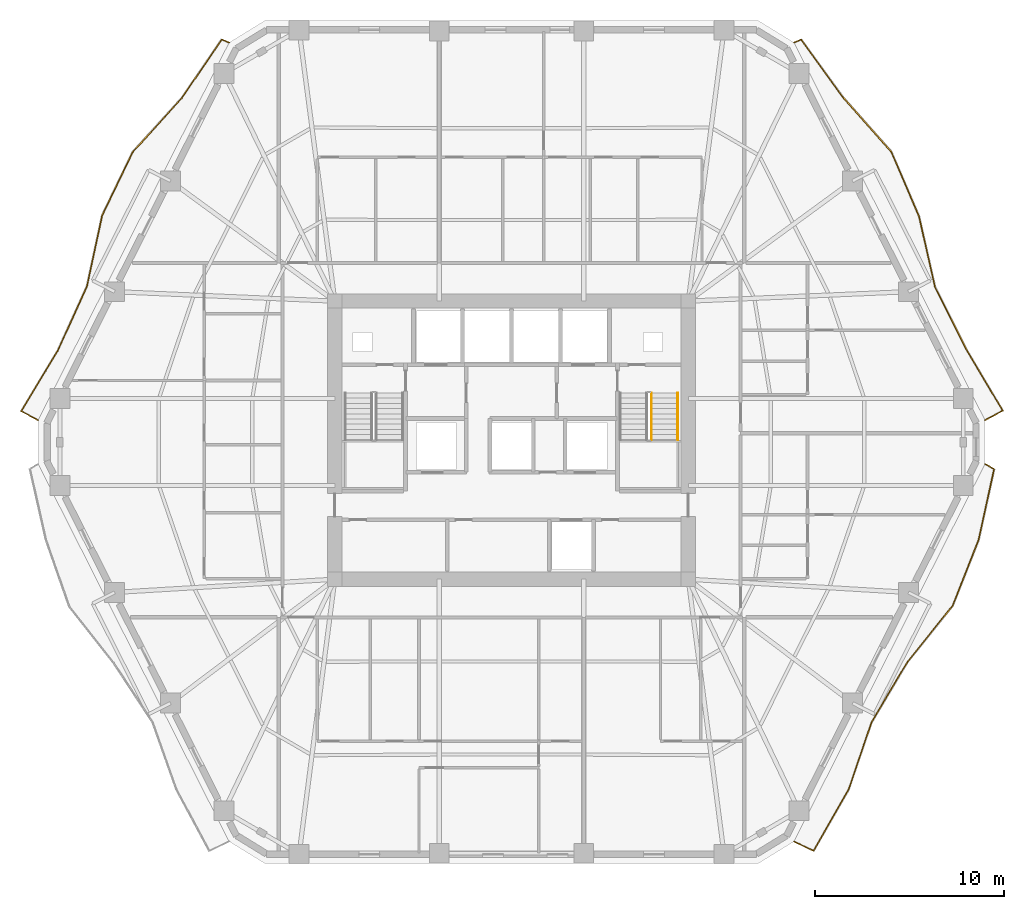
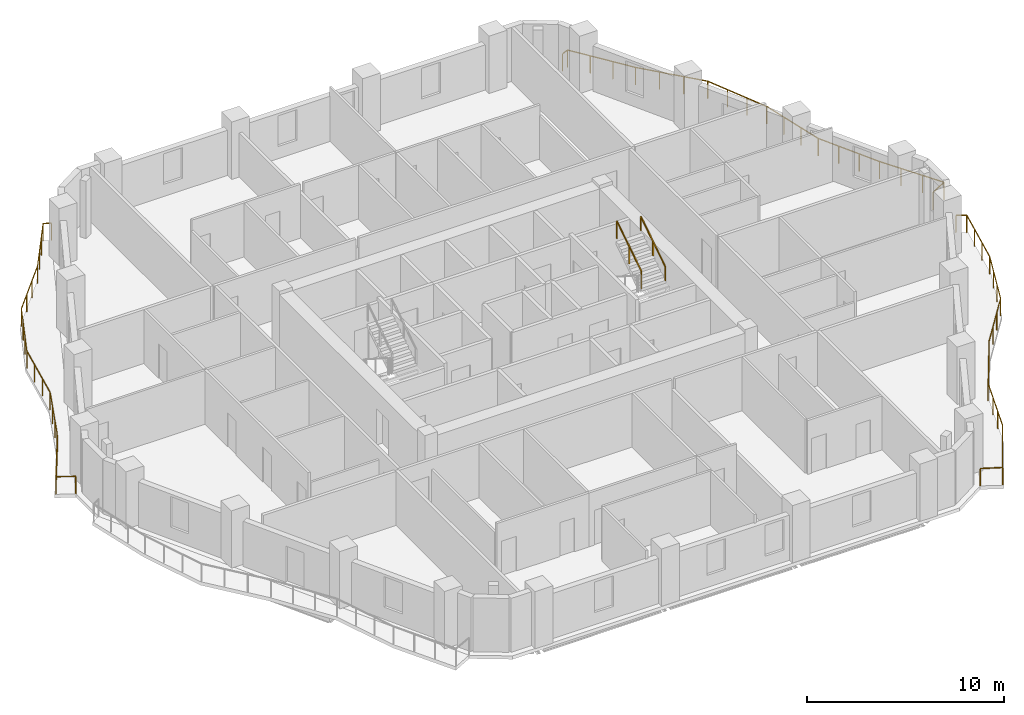
# One storey, part 11 of 11: 5 railings.
"""IFC4 building model written with IfcOpenShell, lengths in metres."""

import ifcopenshell
import ifcopenshell.guid

model = None  # the IFC model being written
_history = None  # IfcOwnerHistory: only IFC2X3 demands one
_inside = {}  # id of a spatial element -> (the spatial element, [elements in it])
_under = {}  # id of a project, library or spatial element -> (it, [spatial elements below it])
_declared = {}  # id of a project -> (the project, [libraries it declares])
_typed = {}  # id of a type object -> (the type object, [elements of that type])
_made_of = {}  # id of a material, layer set ... -> (it, [elements and type objects made of it])


def new_model(schema):
    """Start an empty IFC model of exactly this schema.

    Asked for "IFC4X3", IfcOpenShell would pick the latest addendum, in which some entities
    have other attributes; the version numbers below select the first issue.
    IFC2X3 requires an IfcOwnerHistory on every rooted entity: one is made here for all.
    """
    global model, _history
    if schema == "IFC4X3":
        model = ifcopenshell.file(schema_version=(4, 3, 0, 0))
    else:
        model = ifcopenshell.file(schema=schema)
    _inside.clear()
    _under.clear()
    _declared.clear()
    _typed.clear()
    _made_of.clear()
    _history = None
    if model.schema == "IFC2X3":
        org = make("IfcOrganization", Name="unknown")
        user = make(
            "IfcPersonAndOrganization",
            ThePerson=make("IfcPerson", FamilyName="unknown"),
            TheOrganization=org,
        )
        app = make(
            "IfcApplication",
            ApplicationDeveloper=org,
            Version="unknown",
            ApplicationFullName="unknown",
            ApplicationIdentifier="unknown",
        )
        _history = make(
            "IfcOwnerHistory",
            OwningUser=user,
            OwningApplication=app,
            ChangeAction="ADDED",
            CreationDate=0,
        )
    return model


def make(cls, **values):
    """One entity of the class cls with the attributes given. An attribute that is None is left unset."""
    return model.create_entity(
        cls, **{name: value for name, value in values.items() if value is not None}
    )


def rooted(cls, **values):
    """An entity with a GlobalId (a new one), such as an element, a storey or a relation."""
    return make(cls, GlobalId=ifcopenshell.guid.new(), OwnerHistory=_history, **values)


def si_unit(unit_type, name, prefix=None):
    """IfcSIUnit, for example si_unit("LENGTHUNIT", "METRE", prefix="MILLI")."""
    return make("IfcSIUnit", UnitType=unit_type, Prefix=prefix, Name=name)


def assignment(units):
    """IfcUnitAssignment: the units of a project."""
    return None if units is None else make("IfcUnitAssignment", Units=units)


def point(xyz):
    """IfcCartesianPoint."""
    return None if xyz is None else make("IfcCartesianPoint", Coordinates=xyz)


def direction(xyz):
    """IfcDirection."""
    return None if xyz is None else make("IfcDirection", DirectionRatios=xyz)


def frame(location, z_axis=None, x_axis=None):
    """IfcAxis2Placement3D, a coordinate frame: its origin and axes. An axis left out is left unset."""
    return make(
        "IfcAxis2Placement3D",
        Location=point(location),
        Axis=direction(z_axis),
        RefDirection=direction(x_axis),
    )


def frame_2d(location, x_axis=None):
    """IfcAxis2Placement2D, a coordinate frame in the plane: its origin and x axis."""
    return make(
        "IfcAxis2Placement2D", Location=point(location), RefDirection=direction(x_axis)
    )


def origin():
    """The frame at (0, 0, 0) with its axes left unset."""
    return frame((0.0, 0.0, 0.0))


def origin_2d():
    """The frame at (0, 0) in the plane with its x axis left unset."""
    return frame_2d((0.0, 0.0))


def place(relative_to, where):
    """IfcLocalPlacement: puts the frame where relative to a parent placement (None: the world)."""
    return make(
        "IfcLocalPlacement", PlacementRelTo=relative_to, RelativePlacement=where
    )


def context(
    kind, dimensions, precision=None, world=None, true_north=None, identifier=None
):
    """IfcGeometricRepresentationContext, for example the 3D "Model" context."""
    return make(
        "IfcGeometricRepresentationContext",
        ContextIdentifier=identifier,
        ContextType=kind,
        CoordinateSpaceDimension=dimensions,
        Precision=precision,
        WorldCoordinateSystem=world,
        TrueNorth=true_north,
    )


def subcontext(parent, identifier, kind, view, scale=None):
    """IfcGeometricRepresentationSubContext, for example "Body" below "Model"."""
    return make(
        "IfcGeometricRepresentationSubContext",
        ContextIdentifier=identifier,
        ContextType=kind,
        ParentContext=parent,
        TargetScale=scale,
        TargetView=view,
    )


def project(units=None, contexts=None):
    """IfcProject with its units and contexts."""
    return rooted(
        "IfcProject",
        Name="project",
        RepresentationContexts=contexts,
        UnitsInContext=assignment(units),
    )


def spatial(cls, under=None, at=None, **own):
    """A site, building, storey or space (cls), placed at a placement, below another one or the project."""
    s = rooted(cls, ObjectPlacement=at, **own)
    if under is not None:
        _under.setdefault(under.id(), (under, []))[1].append(s)
    return s


def profile(cls, at=None, kind="AREA", **sizes):
    """A parametric profile (cls). Its sizes go by their IFC names, for example OverallWidth=200.0."""
    return make(cls, ProfileType=kind, Position=at, **sizes)


def rectangle(**sizes):
    """IfcRectangleProfileDef."""
    return profile("IfcRectangleProfileDef", **sizes)


def extrude(swept, where, along, depth):
    """IfcExtrudedAreaSolid: the profile swept, set in the frame where, extruded along a direction by depth."""
    return make(
        "IfcExtrudedAreaSolid",
        SweptArea=swept,
        Position=where,
        ExtrudedDirection=direction(along),
        Depth=depth,
    )


def shape(context_of_items, identifier, shape_type, items):
    """IfcShapeRepresentation: the items that make up one representation, for example the "Body"."""
    return make(
        "IfcShapeRepresentation",
        ContextOfItems=context_of_items,
        RepresentationIdentifier=identifier,
        RepresentationType=shape_type,
        Items=items,
    )


def material(Name=None, Category=None):
    """IfcMaterial."""
    return make("IfcMaterial", Name=Name, Category=Category)


def made_of(thing, what):
    """Note that an element or type object is made of a material, layer set ...; save() writes the relation."""
    if what is not None:
        _made_of.setdefault(what.id(), (what, []))[1].append(thing)
    return thing


def type_object(cls, material=None, **own):
    """A type object (cls), such as IfcWallType, which elements share."""
    return made_of(rooted(cls, **own), material)


def element(
    cls,
    number,
    at=None,
    inside=None,
    cuts=None,
    type_object=None,
    material=None,
    context=None,
    identifier="Body",
    shape_type=None,
    held_by="IfcProductDefinitionShape",
    body=None,
    shapes=None,
    **own,
):
    """One element of the class cls, such as IfcWall. Its Tag is "e" and its number.

    at: its placement. inside: the storey or other place that contains it. cuts: it is an
    opening in that element (IfcRelVoidsElement). A single representation is given by context,
    identifier, shape_type and body (its items); several are given by shapes. held_by: the class
    of the entity that holds the representations. save() writes the other relations.
    """
    e = rooted(cls, Tag="e%d" % number, ObjectPlacement=at, **own)
    if body is not None:
        shapes = [shape(context, identifier, shape_type, body)]
    if shapes is not None:
        e.Representation = make(held_by, Representations=shapes)
    if inside is not None:
        _inside.setdefault(inside.id(), (inside, []))[1].append(e)
    if cuts is not None:
        rooted(
            "IfcRelVoidsElement", RelatingBuildingElement=cuts, RelatedOpeningElement=e
        )
    if type_object is not None:
        _typed.setdefault(type_object.id(), (type_object, []))[1].append(e)
    return made_of(e, material)


def aggregate(whole, parts):
    """IfcRelAggregates: a whole, such as a stair, and the parts it consists of."""
    return rooted("IfcRelAggregates", RelatingObject=whole, RelatedObjects=parts)


def save(model, path):
    """Write the relations noted so far, then the file.

    IfcRelAggregates (storeys below a building ...), IfcRelContainedInSpatialStructure (elements
    in a storey), IfcRelDefinesByType, IfcRelAssociatesMaterial and IfcRelDeclares: one each for
    every whole, place, type object, material and project.
    """
    for whole, parts in _under.values():
        aggregate(whole, parts)
    for where, things in _inside.values():
        rooted(
            "IfcRelContainedInSpatialStructure",
            RelatedElements=things,
            RelatingStructure=where,
        )
    for kind, things in _typed.values():
        rooted("IfcRelDefinesByType", RelatedObjects=things, RelatingType=kind)
    for what, things in _made_of.values():
        rooted("IfcRelAssociatesMaterial", RelatedObjects=things, RelatingMaterial=what)
    for by, libraries in _declared.values():
        rooted("IfcRelDeclares", RelatingContext=by, RelatedDefinitions=libraries)
    model.write(path)


model = new_model("IFC4")

# Units and contexts
model_context = context("Model", 3, precision=1e-05, world=origin(), true_north=direction((0.0, 1.0)))
body_context = subcontext(model_context, "Body", "Model", "MODEL_VIEW")
ifc_project = project(units=[si_unit("LENGTHUNIT", "METRE"), si_unit("AREAUNIT", "SQUARE_METRE"), si_unit("VOLUMEUNIT", "CUBIC_METRE"), si_unit("PLANEANGLEUNIT", "RADIAN"), si_unit("MASSUNIT", "GRAM", prefix="KILO")], contexts=[model_context])

# Site, building, storey
site_placement = place(None, origin())
site = spatial("IfcSite", under=ifc_project, at=site_placement, CompositionType="ELEMENT")
building_placement = place(site_placement, origin())
building = spatial("IfcBuilding", under=site, at=building_placement, Name="Cinnabar Lancet Tower", CompositionType="ELEMENT")
storey_placement = place(building_placement, frame((0.0, 0.0, 101.949951171875)))
storey = spatial("IfcBuildingStorey", under=building, at=storey_placement, Name="L26", CompositionType="ELEMENT", Elevation=101.949951171875)

# Railings
ifc_material_1 = material(Name="Laminated safety glass and bronze stainless steel balustrade", Category="steel")
railing_type_1 = type_object("IfcRailingType", Name="ENV-RLG-BAL-1100", PredefinedType="BALUSTRADE", material=ifc_material_1)
railing_1_placement = place(storey_placement, frame((47.37890625, 4.610107421875, 0.0)))
element("IfcRailing", 1, at=railing_1_placement, inside=storey, type_object=railing_type_1, Name="L26 Face 2 Wave Balcony Balustrade", PredefinedType="BALUSTRADE", context=body_context, shape_type="SweptSolid", body=[
    extrude(rectangle(XDim=0.048095703125, YDim=0.048095703125, at=origin_2d()), frame((0.0, 0.0, 1.076171875), z_axis=(0.904184593979, -0.427141920222, 0.0), x_axis=(0.427141920222, 0.904184593979, 0.0)), (0.0, 0.0, 1.0), 1.144775390625),
    extrude(rectangle(XDim=0.048095703125, YDim=0.048095703125, at=origin_2d()), frame((1.03515625, -0.489013671875, 1.076171875), z_axis=(0.497812026319, 0.867284951127, 0.0), x_axis=(-0.867284951127, 0.497812026319, 0.0)), (0.0, 0.0, 1.0), 3.738037109375),
    extrude(rectangle(XDim=0.048095703125, YDim=0.048095703125, at=origin_2d()), frame((2.89599609375, 2.7529296875, 1.076171875), z_axis=(0.322381124636, 0.946609956887, 0.0), x_axis=(-0.946609956887, 0.322381124636, 0.0)), (0.0, 0.0, 1.0), 3.76904296875),
    extrude(rectangle(XDim=0.048095703125, YDim=0.048095703125, at=origin_2d()), frame((4.111083984375, 6.32080078125, 1.076171875), z_axis=(0.511034977246, 0.85955991765, 0.0), x_axis=(-0.85955991765, 0.511034977246, 0.0)), (0.0, 0.0, 1.0), 3.7392578125),
    extrude(rectangle(XDim=0.048095703125, YDim=0.048095703125, at=origin_2d()), frame((6.02197265625, 9.534912109375, 1.076171875), z_axis=(0.627268062328, 0.778803427049, 0.0), x_axis=(-0.778803427049, 0.627268062328, 0.0)), (0.0, 0.0, 1.0), 3.8134765625),
    extrude(rectangle(XDim=0.048095703125, YDim=0.048095703125, at=origin_2d()), frame((8.4140625, 12.5048828125, 1.076171875), z_axis=(0.366915842501, 0.93025413975, 0.0), x_axis=(-0.93025413975, 0.366915842501, 0.0)), (0.0, 0.0, 1.0), 3.74755859375),
    extrude(rectangle(XDim=0.048095703125, YDim=0.048095703125, at=origin_2d()), frame((9.7890625, 15.990966796875, 1.076171875), z_axis=(0.214333582574, 0.976760520998, 0.0), x_axis=(-0.976760520998, 0.214333582574, 0.0)), (0.0, 0.0, 1.0), 3.853515625),
    extrude(rectangle(XDim=0.048095703125, YDim=0.048095703125, at=origin_2d()), frame((10.614990234375, 19.7548828125, 1.076171875), z_axis=(-0.868188896318, 0.496233856474, 0.0), x_axis=(-0.496233856474, -0.868188896318, 0.0)), (0.0, 0.0, 1.0), 0.553955078125),
    extrude(rectangle(XDim=0.0419921875, YDim=0.0419921875, at=origin_2d()), origin(), (0.0, 0.0, 1.0), 1.052001953125),
    extrude(rectangle(XDim=0.0419921875, YDim=0.0419921875, at=origin_2d()), frame((1.03515625, -0.489013671875, 0.0)), (0.0, 0.0, 1.0), 1.052001953125),
    extrude(rectangle(XDim=0.0419921875, YDim=0.0419921875, at=origin_2d()), frame((1.655517578125, 0.591552734375, 0.0)), (0.0, 0.0, 1.0), 1.052001953125),
    extrude(rectangle(XDim=0.0419921875, YDim=0.0419921875, at=origin_2d()), frame((2.275634765625, 1.67236328125, 0.0)), (0.0, 0.0, 1.0), 1.052001953125),
    extrude(rectangle(XDim=0.0419921875, YDim=0.0419921875, at=origin_2d()), frame((2.89599609375, 2.7529296875, 0.0)), (0.0, 0.0, 1.0), 1.052001953125),
    extrude(rectangle(XDim=0.0419921875, YDim=0.0419921875, at=origin_2d()), frame((3.301025390625, 3.942138671875, 0.0)), (0.0, 0.0, 1.0), 1.052001953125),
    extrude(rectangle(XDim=0.0419921875, YDim=0.0419921875, at=origin_2d()), frame((3.7060546875, 5.131591796875, 0.0)), (0.0, 0.0, 1.0), 1.052001953125),
    extrude(rectangle(XDim=0.0419921875, YDim=0.0419921875, at=origin_2d()), frame((4.111083984375, 6.32080078125, 0.0)), (0.0, 0.0, 1.0), 1.052001953125),
    extrude(rectangle(XDim=0.0419921875, YDim=0.0419921875, at=origin_2d()), frame((4.748046875, 7.39208984375, 0.0)), (0.0, 0.0, 1.0), 1.052001953125),
    extrude(rectangle(XDim=0.0419921875, YDim=0.0419921875, at=origin_2d()), frame((5.385009765625, 8.463623046875, 0.0)), (0.0, 0.0, 1.0), 1.052001953125),
    extrude(rectangle(XDim=0.0419921875, YDim=0.0419921875, at=origin_2d()), frame((6.02197265625, 9.534912109375, 0.0)), (0.0, 0.0, 1.0), 1.052001953125),
    extrude(rectangle(XDim=0.0419921875, YDim=0.0419921875, at=origin_2d()), frame((6.8193359375, 10.52490234375, 0.0)), (0.0, 0.0, 1.0), 1.052001953125),
    extrude(rectangle(XDim=0.0419921875, YDim=0.0419921875, at=origin_2d()), frame((7.61669921875, 11.514892578125, 0.0)), (0.0, 0.0, 1.0), 1.052001953125),
    extrude(rectangle(XDim=0.0419921875, YDim=0.0419921875, at=origin_2d()), frame((8.4140625, 12.5048828125, 0.0)), (0.0, 0.0, 1.0), 1.052001953125),
    extrude(rectangle(XDim=0.0419921875, YDim=0.0419921875, at=origin_2d()), frame((8.872314453125, 13.6669921875, 0.0)), (0.0, 0.0, 1.0), 1.052001953125),
    extrude(rectangle(XDim=0.0419921875, YDim=0.0419921875, at=origin_2d()), frame((9.330810546875, 14.828857421875, 0.0)), (0.0, 0.0, 1.0), 1.052001953125),
    extrude(rectangle(XDim=0.0419921875, YDim=0.0419921875, at=origin_2d()), frame((9.7890625, 15.990966796875, 0.0)), (0.0, 0.0, 1.0), 1.052001953125),
    extrude(rectangle(XDim=0.0419921875, YDim=0.0419921875, at=origin_2d()), frame((10.064453125, 17.24560546875, 0.0)), (0.0, 0.0, 1.0), 1.052001953125),
    extrude(rectangle(XDim=0.0419921875, YDim=0.0419921875, at=origin_2d()), frame((10.339599609375, 18.500244140625, 0.0)), (0.0, 0.0, 1.0), 1.052001953125),
    extrude(rectangle(XDim=0.0419921875, YDim=0.0419921875, at=origin_2d()), frame((10.614990234375, 19.7548828125, 0.0)), (0.0, 0.0, 1.0), 1.052001953125),
    extrude(rectangle(XDim=0.0419921875, YDim=0.0419921875, at=origin_2d()), frame((10.134033203125, 20.02978515625, 0.0)), (0.0, 0.0, 1.0), 1.052001953125),
])
railing_2_placement = place(storey_placement, frame((57.512939453125, 26.9599609375, 0.0)))
element("IfcRailing", 2, at=railing_2_placement, inside=storey, type_object=railing_type_1, Name="L26 Face 3 Wave Balcony Balustrade", PredefinedType="BALUSTRADE", context=body_context, shape_type="SweptSolid", body=[
    extrude(rectangle(XDim=0.048095703125, YDim=0.048095703125, at=origin_2d()), frame((0.0, 0.0, 1.076171875), z_axis=(0.880035877202, 0.474907206555, 0.0), x_axis=(-0.474907206555, 0.880035877202, 0.0)), (0.0, 0.0, 1.0), 1.063720703125),
    extrude(rectangle(XDim=0.048095703125, YDim=0.048095703125, at=origin_2d()), frame((0.93603515625, 0.505126953125, 1.076171875), z_axis=(-0.510948948591, 0.859611058522, 0.0), x_axis=(-0.859611058522, -0.510948948591, 0.0)), (0.0, 0.0, 1.0), 3.739990234375),
    extrude(rectangle(XDim=0.048095703125, YDim=0.048095703125, at=origin_2d()), frame((-0.974853515625, 3.719970703125, 1.076171875), z_axis=(-0.44946309365, 0.893298901515, 0.0), x_axis=(-0.893298901515, -0.44946309365, 0.0)), (0.0, 0.0, 1.0), 3.731201171875),
    extrude(rectangle(XDim=0.048095703125, YDim=0.048095703125, at=origin_2d()), frame((-2.65185546875, 7.052978515625, 1.076171875), z_axis=(-0.220490735617, 0.975389068786, 0.0), x_axis=(-0.975389068786, -0.220490735617, 0.0)), (0.0, 0.0, 1.0), 3.8466796875),
    extrude(rectangle(XDim=0.048095703125, YDim=0.048095703125, at=origin_2d()), frame((-3.5, 10.804931640625, 1.076171875), z_axis=(-0.394526127473, 0.918884723315, 0.0), x_axis=(-0.918884723315, -0.394526127473, 0.0)), (0.0, 0.0, 1.0), 3.73828125),
    extrude(rectangle(XDim=0.048095703125, YDim=0.048095703125, at=origin_2d()), frame((-4.974853515625, 14.239990234375, 1.076171875), z_axis=(-0.663743089386, 0.747960634855, 0.0), x_axis=(-0.747960634855, -0.663743089386, 0.0)), (0.0, 0.0, 1.0), 3.8583984375),
    extrude(rectangle(XDim=0.048095703125, YDim=0.048095703125, at=origin_2d()), frame((-7.535888671875, 17.1259765625, 1.076171875), z_axis=(-0.587168690639, 0.809464593873, 0.0), x_axis=(-0.809464593873, -0.587168690639, 0.0)), (0.0, 0.0, 1.0), 3.779052734375),
    extrude(rectangle(XDim=0.048095703125, YDim=0.048095703125, at=origin_2d()), frame((-9.7548828125, 20.18505859375, 1.076171875), z_axis=(-0.925613400409, -0.378470385873, 0.0), x_axis=(0.378470385873, -0.925613400409, 0.0)), (0.0, 0.0, 1.0), 0.40966796875),
    extrude(rectangle(XDim=0.0419921875, YDim=0.0419921875, at=origin_2d()), origin(), (0.0, 0.0, 1.0), 1.052001953125),
    extrude(rectangle(XDim=0.0419921875, YDim=0.0419921875, at=origin_2d()), frame((0.93603515625, 0.505126953125, 0.0)), (0.0, 0.0, 1.0), 1.052001953125),
    extrude(rectangle(XDim=0.0419921875, YDim=0.0419921875, at=origin_2d()), frame((0.299072265625, 1.57666015625, 0.0)), (0.0, 0.0, 1.0), 1.052001953125),
    extrude(rectangle(XDim=0.0419921875, YDim=0.0419921875, at=origin_2d()), frame((-0.337890625, 2.6484375, 0.0)), (0.0, 0.0, 1.0), 1.052001953125),
    extrude(rectangle(XDim=0.0419921875, YDim=0.0419921875, at=origin_2d()), frame((-0.974853515625, 3.719970703125, 0.0)), (0.0, 0.0, 1.0), 1.052001953125),
    extrude(rectangle(XDim=0.0419921875, YDim=0.0419921875, at=origin_2d()), frame((-1.533935546875, 4.8310546875, 0.0)), (0.0, 0.0, 1.0), 1.052001953125),
    extrude(rectangle(XDim=0.0419921875, YDim=0.0419921875, at=origin_2d()), frame((-2.0927734375, 5.94189453125, 0.0)), (0.0, 0.0, 1.0), 1.052001953125),
    extrude(rectangle(XDim=0.0419921875, YDim=0.0419921875, at=origin_2d()), frame((-2.65185546875, 7.052978515625, 0.0)), (0.0, 0.0, 1.0), 1.052001953125),
    extrude(rectangle(XDim=0.0419921875, YDim=0.0419921875, at=origin_2d()), frame((-2.9345703125, 8.3037109375, 0.0)), (0.0, 0.0, 1.0), 1.052001953125),
    extrude(rectangle(XDim=0.0419921875, YDim=0.0419921875, at=origin_2d()), frame((-3.21728515625, 9.55419921875, 0.0)), (0.0, 0.0, 1.0), 1.052001953125),
    extrude(rectangle(XDim=0.0419921875, YDim=0.0419921875, at=origin_2d()), frame((-3.5, 10.804931640625, 0.0)), (0.0, 0.0, 1.0), 1.052001953125),
    extrude(rectangle(XDim=0.0419921875, YDim=0.0419921875, at=origin_2d()), frame((-3.99169921875, 11.949951171875, 0.0)), (0.0, 0.0, 1.0), 1.052001953125),
    extrude(rectangle(XDim=0.0419921875, YDim=0.0419921875, at=origin_2d()), frame((-4.483154296875, 13.094970703125, 0.0)), (0.0, 0.0, 1.0), 1.052001953125),
    extrude(rectangle(XDim=0.0419921875, YDim=0.0419921875, at=origin_2d()), frame((-4.974853515625, 14.239990234375, 0.0)), (0.0, 0.0, 1.0), 1.052001953125),
    extrude(rectangle(XDim=0.0419921875, YDim=0.0419921875, at=origin_2d()), frame((-5.82861328125, 15.201904296875, 0.0)), (0.0, 0.0, 1.0), 1.052001953125),
    extrude(rectangle(XDim=0.0419921875, YDim=0.0419921875, at=origin_2d()), frame((-6.68212890625, 16.1640625, 0.0)), (0.0, 0.0, 1.0), 1.052001953125),
    extrude(rectangle(XDim=0.0419921875, YDim=0.0419921875, at=origin_2d()), frame((-7.535888671875, 17.1259765625, 0.0)), (0.0, 0.0, 1.0), 1.052001953125),
    extrude(rectangle(XDim=0.0419921875, YDim=0.0419921875, at=origin_2d()), frame((-8.275634765625, 18.145751953125, 0.0)), (0.0, 0.0, 1.0), 1.052001953125),
    extrude(rectangle(XDim=0.0419921875, YDim=0.0419921875, at=origin_2d()), frame((-9.01513671875, 19.165283203125, 0.0)), (0.0, 0.0, 1.0), 1.052001953125),
    extrude(rectangle(XDim=0.0419921875, YDim=0.0419921875, at=origin_2d()), frame((-9.7548828125, 20.18505859375, 0.0)), (0.0, 0.0, 1.0), 1.052001953125),
    extrude(rectangle(XDim=0.0419921875, YDim=0.0419921875, at=origin_2d()), frame((-10.134033203125, 20.030029296875, 0.0)), (0.0, 0.0, 1.0), 1.052001953125),
])
railing_3_placement = place(storey_placement, frame((17.4208984375, 46.989990234375, 0.0)))
element("IfcRailing", 3, at=railing_3_placement, inside=storey, type_object=railing_type_1, Name="L26 Face 5 Wave Balcony Balustrade", PredefinedType="BALUSTRADE", context=body_context, shape_type="SweptSolid", body=[
    extrude(rectangle(XDim=0.048095703125, YDim=0.048095703125, at=origin_2d()), frame((0.0, 0.0, 1.076171875), z_axis=(-0.924380364904, 0.381472071036, 0.0), x_axis=(-0.381472071036, -0.924380364904, 0.0)), (0.0, 0.0, 1.0), 0.425048828125),
    extrude(rectangle(XDim=0.048095703125, YDim=0.048095703125, at=origin_2d()), frame((-0.392822265625, 0.162109375, 1.076171875), z_axis=(-0.563262354458, -0.826278113017, 0.0), x_axis=(0.826278113017, -0.563262354458, 0.0)), (0.0, 0.0, 1.0), 3.763916015625),
    extrude(rectangle(XDim=0.048095703125, YDim=0.048095703125, at=origin_2d()), frame((-2.512939453125, -2.947998046875, 1.076171875), z_axis=(-0.672182755317, -0.740385266908, 0.0), x_axis=(0.740385266908, -0.672182755317, 0.0)), (0.0, 0.0, 1.0), 3.86962890625),
    extrude(rectangle(XDim=0.048095703125, YDim=0.048095703125, at=origin_2d()), frame((-5.114013671875, -5.81298828125, 1.076171875), z_axis=(-0.434582575863, -0.900631991857, 0.0), x_axis=(0.900631991857, -0.434582575863, 0.0)), (0.0, 0.0, 1.0), 3.73193359375),
    extrude(rectangle(XDim=0.048095703125, YDim=0.048095703125, at=origin_2d()), frame((-6.73583984375, -9.174072265625, 1.076171875), z_axis=(-0.210073860291, -0.97768551857, 0.0), x_axis=(0.97768551857, -0.210073860291, 0.0)), (0.0, 0.0, 1.0), 3.85595703125),
    extrude(rectangle(XDim=0.048095703125, YDim=0.048095703125, at=origin_2d()), frame((-7.5458984375, -12.944091796875, 1.076171875), z_axis=(-0.413694579655, -0.910415726338, 0.0), x_axis=(0.910415726338, -0.413694579655, 0.0)), (0.0, 0.0, 1.0), 3.734375),
    extrude(rectangle(XDim=0.048095703125, YDim=0.048095703125, at=origin_2d()), frame((-9.0908203125, -16.343994140625, 1.076171875), z_axis=(-0.516279042548, -0.856420428426, 0.0), x_axis=(0.856420428426, -0.516279042548, 0.0)), (0.0, 0.0, 1.0), 3.742431640625),
    extrude(rectangle(XDim=0.048095703125, YDim=0.048095703125, at=origin_2d()), frame((-11.02294921875, -19.549072265625, 1.076171875), z_axis=(0.87956995533, -0.47576958045, 0.0), x_axis=(0.47576958045, 0.87956995533, 0.0)), (0.0, 0.0, 1.0), 1.010986328125),
    extrude(rectangle(XDim=0.0419921875, YDim=0.0419921875, at=origin_2d()), origin(), (0.0, 0.0, 1.0), 1.052001953125),
    extrude(rectangle(XDim=0.0419921875, YDim=0.0419921875, at=origin_2d()), frame((-0.392822265625, 0.162109375, 0.0)), (0.0, 0.0, 1.0), 1.052001953125),
    extrude(rectangle(XDim=0.0419921875, YDim=0.0419921875, at=origin_2d()), frame((-1.099609375, -0.87451171875, 0.0)), (0.0, 0.0, 1.0), 1.052001953125),
    extrude(rectangle(XDim=0.0419921875, YDim=0.0419921875, at=origin_2d()), frame((-1.80615234375, -1.911376953125, 0.0)), (0.0, 0.0, 1.0), 1.052001953125),
    extrude(rectangle(XDim=0.0419921875, YDim=0.0419921875, at=origin_2d()), frame((-2.512939453125, -2.947998046875, 0.0)), (0.0, 0.0, 1.0), 1.052001953125),
    extrude(rectangle(XDim=0.0419921875, YDim=0.0419921875, at=origin_2d()), frame((-3.3798828125, -3.903076171875, 0.0)), (0.0, 0.0, 1.0), 1.052001953125),
    extrude(rectangle(XDim=0.0419921875, YDim=0.0419921875, at=origin_2d()), frame((-4.2470703125, -4.85791015625, 0.0)), (0.0, 0.0, 1.0), 1.052001953125),
    extrude(rectangle(XDim=0.0419921875, YDim=0.0419921875, at=origin_2d()), frame((-5.114013671875, -5.81298828125, 0.0)), (0.0, 0.0, 1.0), 1.052001953125),
    extrude(rectangle(XDim=0.0419921875, YDim=0.0419921875, at=origin_2d()), frame((-5.654541015625, -6.933349609375, 0.0)), (0.0, 0.0, 1.0), 1.052001953125),
    extrude(rectangle(XDim=0.0419921875, YDim=0.0419921875, at=origin_2d()), frame((-6.1953125, -8.0537109375, 0.0)), (0.0, 0.0, 1.0), 1.052001953125),
    extrude(rectangle(XDim=0.0419921875, YDim=0.0419921875, at=origin_2d()), frame((-6.73583984375, -9.174072265625, 0.0)), (0.0, 0.0, 1.0), 1.052001953125),
    extrude(rectangle(XDim=0.0419921875, YDim=0.0419921875, at=origin_2d()), frame((-7.005859375, -10.4306640625, 0.0)), (0.0, 0.0, 1.0), 1.052001953125),
    extrude(rectangle(XDim=0.0419921875, YDim=0.0419921875, at=origin_2d()), frame((-7.27587890625, -11.6875, 0.0)), (0.0, 0.0, 1.0), 1.052001953125),
    extrude(rectangle(XDim=0.0419921875, YDim=0.0419921875, at=origin_2d()), frame((-7.5458984375, -12.944091796875, 0.0)), (0.0, 0.0, 1.0), 1.052001953125),
    extrude(rectangle(XDim=0.0419921875, YDim=0.0419921875, at=origin_2d()), frame((-8.060791015625, -14.077392578125, 0.0)), (0.0, 0.0, 1.0), 1.052001953125),
    extrude(rectangle(XDim=0.0419921875, YDim=0.0419921875, at=origin_2d()), frame((-8.575927734375, -15.210693359375, 0.0)), (0.0, 0.0, 1.0), 1.052001953125),
    extrude(rectangle(XDim=0.0419921875, YDim=0.0419921875, at=origin_2d()), frame((-9.0908203125, -16.343994140625, 0.0)), (0.0, 0.0, 1.0), 1.052001953125),
    extrude(rectangle(XDim=0.0419921875, YDim=0.0419921875, at=origin_2d()), frame((-9.73486328125, -17.412353515625, 0.0)), (0.0, 0.0, 1.0), 1.052001953125),
    extrude(rectangle(XDim=0.0419921875, YDim=0.0419921875, at=origin_2d()), frame((-10.37890625, -18.480712890625, 0.0)), (0.0, 0.0, 1.0), 1.052001953125),
    extrude(rectangle(XDim=0.0419921875, YDim=0.0419921875, at=origin_2d()), frame((-11.02294921875, -19.549072265625, 0.0)), (0.0, 0.0, 1.0), 1.052001953125),
    extrude(rectangle(XDim=0.0419921875, YDim=0.0419921875, at=origin_2d()), frame((-10.1337890625, -20.030029296875, 0.0)), (0.0, 0.0, 1.0), 1.052001953125),
])
ifc_material_2 = material(Name="Painted galvanized steel balustrade", Category="steel")
railing_type_2 = type_object("IfcRailingType", Name="GUARD-STAIR", PredefinedType="GUARDRAIL", material=ifc_material_2)
railing_4_placement = place(storey_placement, frame((39.824951171875, 25.925048828125, 1.95263671875)))
element("IfcRailing", 4, at=railing_4_placement, inside=storey, type_object=railing_type_2, Name="L26 ST-2 stair guard 3", PredefinedType="GUARDRAIL", context=body_context, shape_type="SweptSolid", body=[
    extrude(rectangle(XDim=0.048095703125, YDim=0.048095703125, at=origin_2d()), frame((0.0, 0.0, 1.076171875), z_axis=(0.0, 0.840183358697, 0.542302428327), x_axis=(-1.0, 0.0, 0.0)), (0.0, 0.0, 1.0), 2.945556640625),
    extrude(rectangle(XDim=0.0419921875, YDim=0.0419921875, at=origin_2d()), origin(), (0.0, 0.0, 1.0), 1.052001953125),
    extrude(rectangle(XDim=0.0419921875, YDim=0.0419921875, at=origin_2d()), frame((0.0, 1.2373046875, 0.798828125)), (0.0, 0.0, 1.0), 1.052001953125),
    extrude(rectangle(XDim=0.0419921875, YDim=0.0419921875, at=origin_2d()), frame((0.0, 2.474853515625, 1.597412109375)), (0.0, 0.0, 1.0), 1.052001953125),
])
ifc_material_3 = material(Name="Brushed stainless steel handrail", Category="steel")
railing_type_3 = type_object("IfcRailingType", Name="HANDRAIL-STAIR", PredefinedType="HANDRAIL", material=ifc_material_3)
railing_5_placement = place(storey_placement, frame((41.22509765625, 25.925048828125, 1.95263671875)))
element("IfcRailing", 5, at=railing_5_placement, inside=storey, type_object=railing_type_3, Name="L26 ST-2 stair handrail 2", PredefinedType="HANDRAIL", context=body_context, shape_type="SweptSolid", body=[
    extrude(rectangle(XDim=0.048095703125, YDim=0.048095703125, at=origin_2d()), frame((0.0, 0.0, 0.8759765625), z_axis=(0.0, 0.840183358697, 0.542302428327), x_axis=(-1.0, 0.0, 0.0)), (0.0, 0.0, 1.0), 2.945556640625),
    extrude(rectangle(XDim=0.0419921875, YDim=0.0419921875, at=origin_2d()), origin(), (0.0, 0.0, 1.0), 0.851806640625),
    extrude(rectangle(XDim=0.0419921875, YDim=0.0419921875, at=origin_2d()), frame((0.0, 1.2373046875, 0.798828125)), (0.0, 0.0, 1.0), 0.851806640625),
    extrude(rectangle(XDim=0.0419921875, YDim=0.0419921875, at=origin_2d()), frame((0.0, 2.474853515625, 1.597412109375)), (0.0, 0.0, 1.0), 0.851806640625),
])

save(model, "model.ifc")
